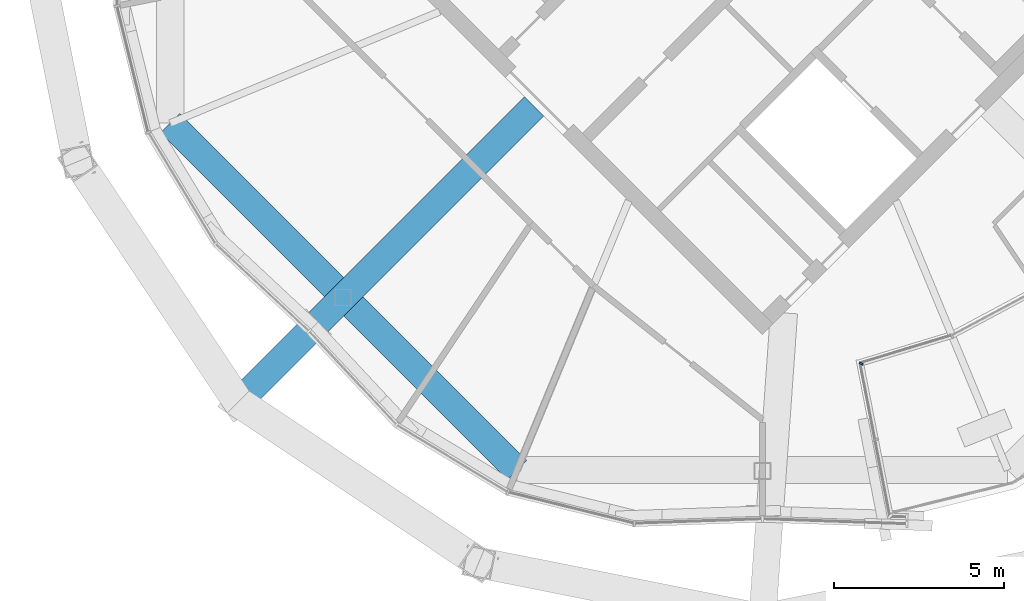
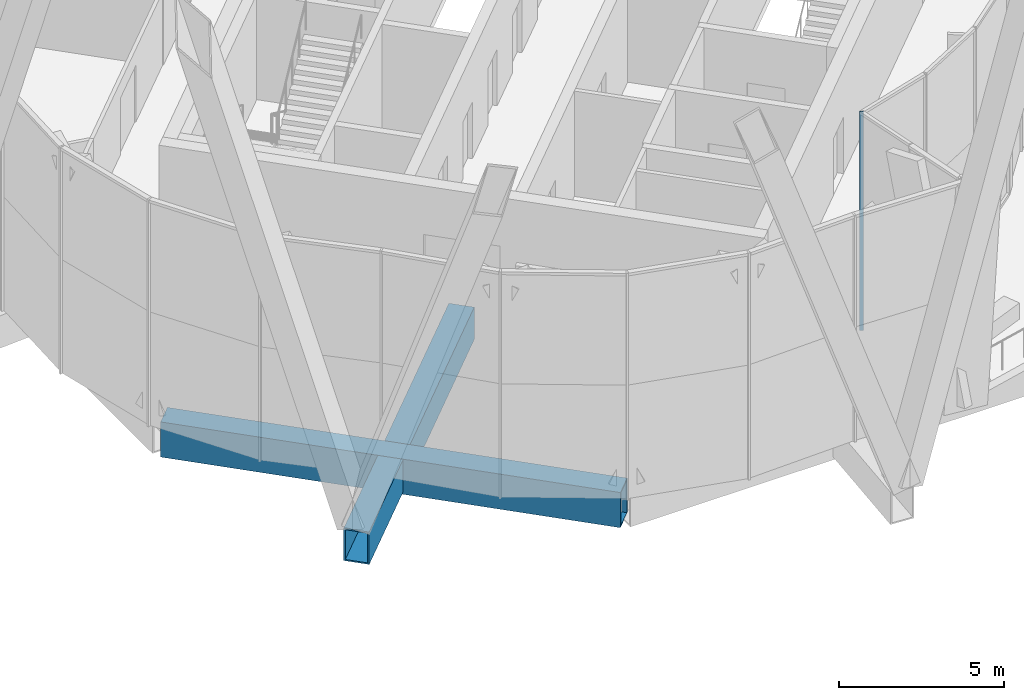
# One storey, part 13 of 38: 2 beams, 1 member, 1 element without a shape of its own.
"""IFC4 building model written with IfcOpenShell, lengths in metres."""

from ifc_helpers import new_model, si_unit, direction, frame, origin, origin_2d, place, context, subcontext, project, spatial, rectangle, hollow_rectangle, extrude, material, material_profile, profile_set, type_object, element, aggregate, save


model = new_model("IFC4")

# Units and contexts
model_context = context("Model", 3, precision=1e-05, world=origin(), true_north=direction((0.0, 1.0)))
body_context = subcontext(model_context, "Body", "Model", "MODEL_VIEW")
ifc_project = project(units=[si_unit("LENGTHUNIT", "METRE"), si_unit("AREAUNIT", "SQUARE_METRE"), si_unit("VOLUMEUNIT", "CUBIC_METRE"), si_unit("PLANEANGLEUNIT", "RADIAN"), si_unit("MASSUNIT", "GRAM", prefix="KILO")], contexts=[model_context])

# Site, building, storey
site_placement = place(None, origin())
site = spatial("IfcSite", under=ifc_project, at=site_placement, CompositionType="ELEMENT")
building_placement = place(site_placement, origin())
building = spatial("IfcBuilding", under=site, at=building_placement, Name="Ogive Gate Towers", CompositionType="ELEMENT")
storey_placement = place(building_placement, frame((0.0, 0.0, 268.800048828125)))
storey = spatial("IfcBuildingStorey", under=building, at=storey_placement, Name="L63", CompositionType="ELEMENT", Elevation=268.800048828125)

# Beam
ifc_material_1 = material(Name="Steel SM460", Category="steel")
ifc_material_profile_1 = material_profile(ifc_material_1, hollow_rectangle(XDim=0.800048828125, YDim=1.300048828125, WallThickness=0.050048828125, at=origin_2d()), Name="BX 1300x800x50")
ifc_profile_set_1 = profile_set([ifc_material_profile_1], Name="Steel SM460")
beam_type_1 = type_object("IfcBeamType", Name="Edge girder BX 1300x800x50", PredefinedType="BEAM", material=ifc_profile_set_1)
beam_1_placement = place(storey_placement, frame((18.57568359375, -7.217529296875, -0.949951171875), z_axis=(0.707106781187, -0.707106781187, 0.0), x_axis=(0.707106781187, 0.707106781187, 0.0)))
element("IfcBeam", 1, at=beam_1_placement, inside=storey, type_object=beam_type_1, Name="T2/L63/SBM017", PredefinedType="BEAM", context=body_context, shape_type="SweptSolid", body=[
    extrude(hollow_rectangle(XDim=0.800048828125, YDim=1.300048828125, WallThickness=0.050048828125, at=origin_2d()), origin(), (0.0, 0.0, 1.0), 14.4345703125),
])

# Curtain wall, member
ifc_material_2 = material(Name="Pale metal aluminium", Category="aluminium")
curtain_wall_type = type_object("IfcCurtainWallType", Name="Sky garden glazing", PredefinedType="NOTDEFINED", material=ifc_material_2)
curtain_wall_placement = place(storey_placement, origin())
curtain_wall = element("IfcCurtainWall", 2, at=curtain_wall_placement, inside=storey, type_object=curtain_wall_type, Name="CW4 T2 ECW01", PredefinedType="NOTDEFINED")
ifc_material_profile_2 = material_profile(ifc_material_2, rectangle(XDim=0.1201171875, YDim=0.050048828125, at=origin_2d()), Name="50 x 120 aluminium box")
ifc_profile_set_2 = profile_set([ifc_material_profile_2], Name="Pale metal aluminium")
member_type = type_object("IfcMemberType", Name="Sky garden glazing mullion 50 x 120", PredefinedType="MULLION", material=ifc_profile_set_2)
member_placement = place(storey_placement, frame((38.909912109375, -14.290771484375, 0.0), z_axis=(0.0, 0.0, 1.0), x_axis=(-0.856618479293, 0.515950366735, 0.0)))
member = element("IfcMember", 3, at=member_placement, type_object=member_type, Name="CW4 mullion", PredefinedType="MULLION", context=body_context, shape_type="SweptSolid", body=[
    extrude(rectangle(XDim=0.1201171875, YDim=0.050048828125, at=origin_2d()), origin(), (0.0, 0.0, 1.0), 8.099853515625),
])
aggregate(curtain_wall, [member])

# Beam
ifc_material_profile_3 = material_profile(ifc_material_1, hollow_rectangle(XDim=0.800048828125, YDim=1.199951171875, WallThickness=0.050048828125, at=origin_2d()), Name="BX 1200x800x50")
ifc_profile_set_3 = profile_set([ifc_material_profile_3], Name="Steel SM460")
beam_type_2 = type_object("IfcBeamType", Name="Transfer radial beam BX 1200x800x50", PredefinedType="BEAM", material=ifc_profile_set_3)
beam_2_placement = place(storey_placement, frame((29.282470703125, -6.717529296875, -0.900146484375), z_axis=(-0.707106781187, -0.707106781187, 0.0), x_axis=(0.707106781187, -0.707106781187, 0.0)))
element("IfcBeam", 4, at=beam_2_placement, inside=storey, type_object=beam_type_2, Name="T2/L63/SBM002", PredefinedType="BEAM", context=body_context, shape_type="SweptSolid", body=[
    extrude(hollow_rectangle(XDim=0.800048828125, YDim=1.199951171875, WallThickness=0.050048828125, at=origin_2d()), origin(), (0.0, 0.0, 1.0), 12.31005859375),
])

save(model, "model.ifc")
